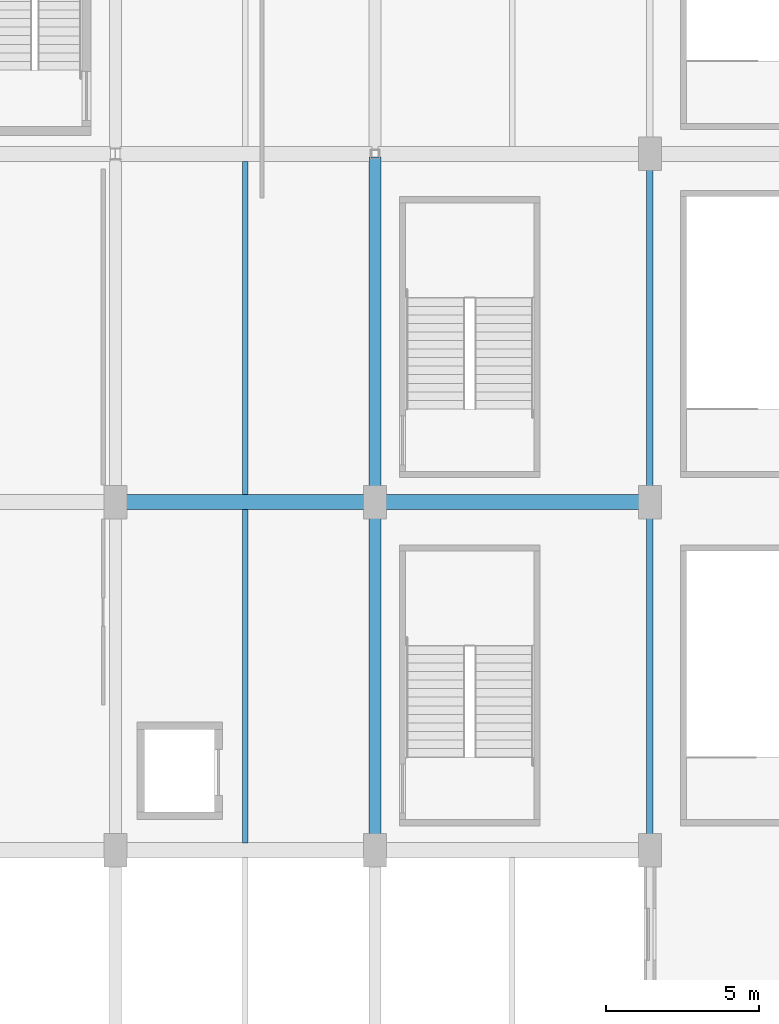
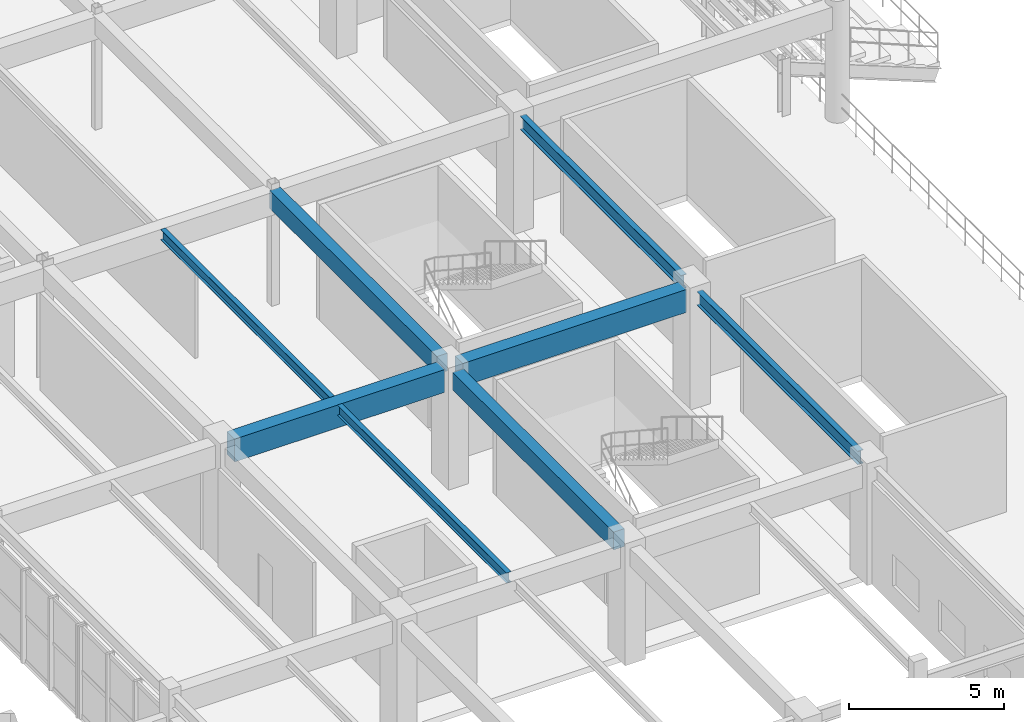
# One storey, part 39 of 106: 8 beams.
"""IFC4 building model written with IfcOpenShell, lengths in metres."""

import ifcopenshell
import ifcopenshell.guid

model = None  # the IFC model being written
_history = None  # IfcOwnerHistory: only IFC2X3 demands one
_inside = {}  # id of a spatial element -> (the spatial element, [elements in it])
_under = {}  # id of a project, library or spatial element -> (it, [spatial elements below it])
_declared = {}  # id of a project -> (the project, [libraries it declares])
_typed = {}  # id of a type object -> (the type object, [elements of that type])
_made_of = {}  # id of a material, layer set ... -> (it, [elements and type objects made of it])


def new_model(schema):
    """Start an empty IFC model of exactly this schema.

    Asked for "IFC4X3", IfcOpenShell would pick the latest addendum, in which some entities
    have other attributes; the version numbers below select the first issue.
    IFC2X3 requires an IfcOwnerHistory on every rooted entity: one is made here for all.
    """
    global model, _history
    if schema == "IFC4X3":
        model = ifcopenshell.file(schema_version=(4, 3, 0, 0))
    else:
        model = ifcopenshell.file(schema=schema)
    _inside.clear()
    _under.clear()
    _declared.clear()
    _typed.clear()
    _made_of.clear()
    _history = None
    if model.schema == "IFC2X3":
        org = make("IfcOrganization", Name="unknown")
        user = make(
            "IfcPersonAndOrganization",
            ThePerson=make("IfcPerson", FamilyName="unknown"),
            TheOrganization=org,
        )
        app = make(
            "IfcApplication",
            ApplicationDeveloper=org,
            Version="unknown",
            ApplicationFullName="unknown",
            ApplicationIdentifier="unknown",
        )
        _history = make(
            "IfcOwnerHistory",
            OwningUser=user,
            OwningApplication=app,
            ChangeAction="ADDED",
            CreationDate=0,
        )
    return model


def make(cls, **values):
    """One entity of the class cls with the attributes given. An attribute that is None is left unset."""
    return model.create_entity(
        cls, **{name: value for name, value in values.items() if value is not None}
    )


def rooted(cls, **values):
    """An entity with a GlobalId (a new one), such as an element, a storey or a relation."""
    return make(cls, GlobalId=ifcopenshell.guid.new(), OwnerHistory=_history, **values)


def si_unit(unit_type, name, prefix=None):
    """IfcSIUnit, for example si_unit("LENGTHUNIT", "METRE", prefix="MILLI")."""
    return make("IfcSIUnit", UnitType=unit_type, Prefix=prefix, Name=name)


def assignment(units):
    """IfcUnitAssignment: the units of a project."""
    return None if units is None else make("IfcUnitAssignment", Units=units)


def point(xyz):
    """IfcCartesianPoint."""
    return None if xyz is None else make("IfcCartesianPoint", Coordinates=xyz)


def direction(xyz):
    """IfcDirection."""
    return None if xyz is None else make("IfcDirection", DirectionRatios=xyz)


def frame(location, z_axis=None, x_axis=None):
    """IfcAxis2Placement3D, a coordinate frame: its origin and axes. An axis left out is left unset."""
    return make(
        "IfcAxis2Placement3D",
        Location=point(location),
        Axis=direction(z_axis),
        RefDirection=direction(x_axis),
    )


def frame_2d(location, x_axis=None):
    """IfcAxis2Placement2D, a coordinate frame in the plane: its origin and x axis."""
    return make(
        "IfcAxis2Placement2D", Location=point(location), RefDirection=direction(x_axis)
    )


def origin():
    """The frame at (0, 0, 0) with its axes left unset."""
    return frame((0.0, 0.0, 0.0))


def origin_2d():
    """The frame at (0, 0) in the plane with its x axis left unset."""
    return frame_2d((0.0, 0.0))


def place(relative_to, where):
    """IfcLocalPlacement: puts the frame where relative to a parent placement (None: the world)."""
    return make(
        "IfcLocalPlacement", PlacementRelTo=relative_to, RelativePlacement=where
    )


def context(
    kind, dimensions, precision=None, world=None, true_north=None, identifier=None
):
    """IfcGeometricRepresentationContext, for example the 3D "Model" context."""
    return make(
        "IfcGeometricRepresentationContext",
        ContextIdentifier=identifier,
        ContextType=kind,
        CoordinateSpaceDimension=dimensions,
        Precision=precision,
        WorldCoordinateSystem=world,
        TrueNorth=true_north,
    )


def subcontext(parent, identifier, kind, view, scale=None):
    """IfcGeometricRepresentationSubContext, for example "Body" below "Model"."""
    return make(
        "IfcGeometricRepresentationSubContext",
        ContextIdentifier=identifier,
        ContextType=kind,
        ParentContext=parent,
        TargetScale=scale,
        TargetView=view,
    )


def project(units=None, contexts=None):
    """IfcProject with its units and contexts."""
    return rooted(
        "IfcProject",
        Name="project",
        RepresentationContexts=contexts,
        UnitsInContext=assignment(units),
    )


def spatial(cls, under=None, at=None, **own):
    """A site, building, storey or space (cls), placed at a placement, below another one or the project."""
    s = rooted(cls, ObjectPlacement=at, **own)
    if under is not None:
        _under.setdefault(under.id(), (under, []))[1].append(s)
    return s


def profile(cls, at=None, kind="AREA", **sizes):
    """A parametric profile (cls). Its sizes go by their IFC names, for example OverallWidth=200.0."""
    return make(cls, ProfileType=kind, Position=at, **sizes)


def rectangle(**sizes):
    """IfcRectangleProfileDef."""
    return profile("IfcRectangleProfileDef", **sizes)


def i_section(**sizes):
    """IfcIShapeProfileDef."""
    return profile("IfcIShapeProfileDef", **sizes)


def extrude(swept, where, along, depth):
    """IfcExtrudedAreaSolid: the profile swept, set in the frame where, extruded along a direction by depth."""
    return make(
        "IfcExtrudedAreaSolid",
        SweptArea=swept,
        Position=where,
        ExtrudedDirection=direction(along),
        Depth=depth,
    )


def shape(context_of_items, identifier, shape_type, items):
    """IfcShapeRepresentation: the items that make up one representation, for example the "Body"."""
    return make(
        "IfcShapeRepresentation",
        ContextOfItems=context_of_items,
        RepresentationIdentifier=identifier,
        RepresentationType=shape_type,
        Items=items,
    )


def material(Name=None, Category=None):
    """IfcMaterial."""
    return make("IfcMaterial", Name=Name, Category=Category)


def material_profile(
    of_material, cross_section, Name=None, Category=None, Priority=None
):
    """IfcMaterialProfile: a cross section and its material."""
    return make(
        "IfcMaterialProfile",
        Name=Name,
        Material=of_material,
        Profile=cross_section,
        Priority=Priority,
        Category=Category,
    )


def profile_set(profiles, Name=None, composite=None):
    """IfcMaterialProfileSet."""
    return make(
        "IfcMaterialProfileSet",
        Name=Name,
        MaterialProfiles=profiles,
        CompositeProfile=composite,
    )


def made_of(thing, what):
    """Note that an element or type object is made of a material, layer set ...; save() writes the relation."""
    if what is not None:
        _made_of.setdefault(what.id(), (what, []))[1].append(thing)
    return thing


def type_object(cls, material=None, **own):
    """A type object (cls), such as IfcWallType, which elements share."""
    return made_of(rooted(cls, **own), material)


def element(
    cls,
    number,
    at=None,
    inside=None,
    cuts=None,
    type_object=None,
    material=None,
    context=None,
    identifier="Body",
    shape_type=None,
    held_by="IfcProductDefinitionShape",
    body=None,
    shapes=None,
    **own,
):
    """One element of the class cls, such as IfcWall. Its Tag is "e" and its number.

    at: its placement. inside: the storey or other place that contains it. cuts: it is an
    opening in that element (IfcRelVoidsElement). A single representation is given by context,
    identifier, shape_type and body (its items); several are given by shapes. held_by: the class
    of the entity that holds the representations. save() writes the other relations.
    """
    e = rooted(cls, Tag="e%d" % number, ObjectPlacement=at, **own)
    if body is not None:
        shapes = [shape(context, identifier, shape_type, body)]
    if shapes is not None:
        e.Representation = make(held_by, Representations=shapes)
    if inside is not None:
        _inside.setdefault(inside.id(), (inside, []))[1].append(e)
    if cuts is not None:
        rooted(
            "IfcRelVoidsElement", RelatingBuildingElement=cuts, RelatedOpeningElement=e
        )
    if type_object is not None:
        _typed.setdefault(type_object.id(), (type_object, []))[1].append(e)
    return made_of(e, material)


def aggregate(whole, parts):
    """IfcRelAggregates: a whole, such as a stair, and the parts it consists of."""
    return rooted("IfcRelAggregates", RelatingObject=whole, RelatedObjects=parts)


def save(model, path):
    """Write the relations noted so far, then the file.

    IfcRelAggregates (storeys below a building ...), IfcRelContainedInSpatialStructure (elements
    in a storey), IfcRelDefinesByType, IfcRelAssociatesMaterial and IfcRelDeclares: one each for
    every whole, place, type object, material and project.
    """
    for whole, parts in _under.values():
        aggregate(whole, parts)
    for where, things in _inside.values():
        rooted(
            "IfcRelContainedInSpatialStructure",
            RelatedElements=things,
            RelatingStructure=where,
        )
    for kind, things in _typed.values():
        rooted("IfcRelDefinesByType", RelatedObjects=things, RelatingType=kind)
    for what, things in _made_of.values():
        rooted("IfcRelAssociatesMaterial", RelatedObjects=things, RelatingMaterial=what)
    for by, libraries in _declared.values():
        rooted("IfcRelDeclares", RelatingContext=by, RelatedDefinitions=libraries)
    model.write(path)


model = new_model("IFC4")

# Units and contexts
model_context = context("Model", 3, precision=1e-05, world=origin(), true_north=direction((0.0, 1.0)))
body_context = subcontext(model_context, "Body", "Model", "MODEL_VIEW")
ifc_project = project(units=[si_unit("LENGTHUNIT", "METRE"), si_unit("AREAUNIT", "SQUARE_METRE"), si_unit("VOLUMEUNIT", "CUBIC_METRE"), si_unit("PLANEANGLEUNIT", "RADIAN"), si_unit("MASSUNIT", "GRAM", prefix="KILO"), si_unit("POWERUNIT", "WATT"), si_unit("THERMODYNAMICTEMPERATUREUNIT", "KELVIN")], contexts=[model_context])

# Site, building, storey
site_placement = place(None, origin())
site = spatial("IfcSite", under=ifc_project, at=site_placement, CompositionType="ELEMENT")
building_placement = place(site_placement, origin())
building = spatial("IfcBuilding", under=site, at=building_placement, Name="Kelmbourne Parkland Aquatics Centre", CompositionType="ELEMENT")
storey_placement = place(building_placement, frame((0.0, 0.0, 5.39990234375)))
storey = spatial("IfcBuildingStorey", under=building, at=storey_placement, Name="L01", CompositionType="ELEMENT", Elevation=5.39990234375)

# Beams
ifc_material_1 = material(Name="Concrete C40/50", Category="concrete")
ifc_material_profile_1 = material_profile(ifc_material_1, rectangle(XDim=0.5, YDim=0.89990234375, at=origin_2d()), Name="RC 500x900")
ifc_profile_set_1 = profile_set([ifc_material_profile_1], Name="Concrete C40/50")
beam_type_1 = type_object("IfcBeamType", Name="BM-G03", PredefinedType="BEAM", material=ifc_profile_set_1)
beam_1_placement = place(storey_placement, frame((110.830078125, 23.60009765625, 4.110107421875), z_axis=(1.0, 0.0, 0.0), x_axis=(0.0, 1.0, 0.0)))
element("IfcBeam", 1, at=beam_1_placement, inside=storey, type_object=beam_type_1, Name="Primary girder N-O Grid 04 (L02)", PredefinedType="BEAM", context=body_context, shape_type="SweptSolid", body=[
    extrude(rectangle(XDim=0.5, YDim=0.89990234375, at=origin_2d()), origin(), (0.0, 0.0, 1.0), 7.83984375),
])
beam_2_placement = place(storey_placement, frame((119.330078125, 23.60009765625, 4.110107421875), z_axis=(1.0, 0.0, 0.0), x_axis=(0.0, 1.0, 0.0)))
element("IfcBeam", 2, at=beam_2_placement, inside=storey, type_object=beam_type_1, Name="Primary girder O-P Grid 04 (L02)", PredefinedType="BEAM", context=body_context, shape_type="SweptSolid", body=[
    extrude(rectangle(XDim=0.5, YDim=0.89990234375, at=origin_2d()), origin(), (0.0, 0.0, 1.0), 8.33984375),
])
ifc_material_profile_2 = material_profile(ifc_material_1, rectangle(XDim=0.39990234375, YDim=0.699951171875, at=origin_2d()), Name="RC 400x700")
ifc_profile_set_2 = profile_set([ifc_material_profile_2], Name="Concrete C40/50")
beam_type_2 = type_object("IfcBeamType", Name="BM-G05", PredefinedType="BEAM", material=ifc_profile_set_2)
beam_3_placement = place(storey_placement, frame((119.0, 12.705078125, 4.210205078125), z_axis=(0.0, 1.0, 0.0), x_axis=(-1.0, 0.0, 0.0)))
element("IfcBeam", 3, at=beam_3_placement, inside=storey, type_object=beam_type_2, Name="Primary girder 03-04 Grid O (L02)", PredefinedType="BEAM", context=body_context, shape_type="SweptSolid", body=[
    extrude(rectangle(XDim=0.39990234375, YDim=0.699951171875, at=origin_2d()), origin(), (0.0, 0.0, 1.0), 10.389892578125),
])
beam_4_placement = place(storey_placement, frame((119.0, 24.10498046875, 4.210205078125), z_axis=(0.0, 1.0, 0.0), x_axis=(-1.0, 0.0, 0.0)))
element("IfcBeam", 4, at=beam_4_placement, inside=storey, type_object=beam_type_2, Name="Primary girder 04-05 Grid O (L02)", PredefinedType="BEAM", context=body_context, shape_type="SweptSolid", body=[
    extrude(rectangle(XDim=0.39990234375, YDim=0.699951171875, at=origin_2d()), origin(), (0.0, 0.0, 1.0), 10.7900390625),
])
ifc_material_2 = material(Name="Structural steel AS/NZS 3679.1 Grade 300", Category="steel")
ifc_material_profile_3 = material_profile(ifc_material_2, i_section(OverallWidth=0.177978515625, OverallDepth=0.406005859375, WebThickness=0.0078125, FlangeThickness=0.0126953125, at=origin_2d()), Name="410UB59.7")
ifc_profile_set_3 = profile_set([ifc_material_profile_3], Name="Structural steel AS/NZS 3679.1 Grade 300")
beam_type_3 = type_object("IfcBeamType", Name="BM-J01", PredefinedType="JOIST", material=ifc_profile_set_3)
for number, where, z_axis, x_axis, name in (
    (5, (114.75, 12.44189453125, 4.357177734375), (0.0, 1.0, 0.0), (-1.0, 0.0, 0.0), "Secondary floor joist N-O/03-04 #1 (L02)"),
    (6, (114.75, 23.842041015625, 4.357177734375), (0.0, 1.0, 0.0), (-1.0, 0.0, 0.0), "Secondary floor joist N-O/04-05 #1 (L02)"),
):
    element("IfcBeam", number, at=place(storey_placement, frame(where, z_axis=z_axis, x_axis=x_axis)), inside=storey, type_object=beam_type_3, Name=name, PredefinedType="JOIST", context=body_context, shape_type="SweptSolid", body=[
        extrude(i_section(OverallWidth=0.177978515625, OverallDepth=0.406005859375, WebThickness=0.0078125, FlangeThickness=0.0126953125, at=origin_2d()), origin(), (0.0, 0.0, 1.0), 10.916015625),
    ])
ifc_material_profile_4 = material_profile(ifc_material_2, i_section(OverallWidth=0.208984375, OverallDepth=0.532958984375, WebThickness=0.01025390625, FlangeThickness=0.015625, at=origin_2d()), Name="530UB92.4")
ifc_profile_set_4 = profile_set([ifc_material_profile_4], Name="Structural steel AS/NZS 3679.1 Grade 300")
beam_type_4 = type_object("IfcBeamType", Name="BM-SP02", PredefinedType="SPANDREL", material=ifc_profile_set_4)
beam_5_placement = place(storey_placement, frame((128.0, 12.705078125, 4.293701171875), z_axis=(0.0, 1.0, 0.0), x_axis=(-1.0, 0.0, 0.0)))
element("IfcBeam", 7, at=beam_5_placement, inside=storey, type_object=beam_type_4, Name="Perimeter spandrel 03-04 Grid P (L02)", PredefinedType="SPANDREL", context=body_context, shape_type="SweptSolid", body=[
    extrude(i_section(OverallWidth=0.208984375, OverallDepth=0.532958984375, WebThickness=0.01025390625, FlangeThickness=0.015625, at=origin_2d()), origin(), (0.0, 0.0, 1.0), 10.389892578125),
])
beam_6_placement = place(storey_placement, frame((128.0, 24.10498046875, 4.293701171875), z_axis=(0.0, 1.0, 0.0), x_axis=(-1.0, 0.0, 0.0)))
element("IfcBeam", 8, at=beam_6_placement, inside=storey, type_object=beam_type_4, Name="Perimeter spandrel 04-05 Grid P (L02)", PredefinedType="SPANDREL", context=body_context, shape_type="SweptSolid", body=[
    extrude(i_section(OverallWidth=0.208984375, OverallDepth=0.532958984375, WebThickness=0.01025390625, FlangeThickness=0.015625, at=origin_2d()), origin(), (0.0, 0.0, 1.0), 10.39013671875),
])

save(model, "model.ifc")
